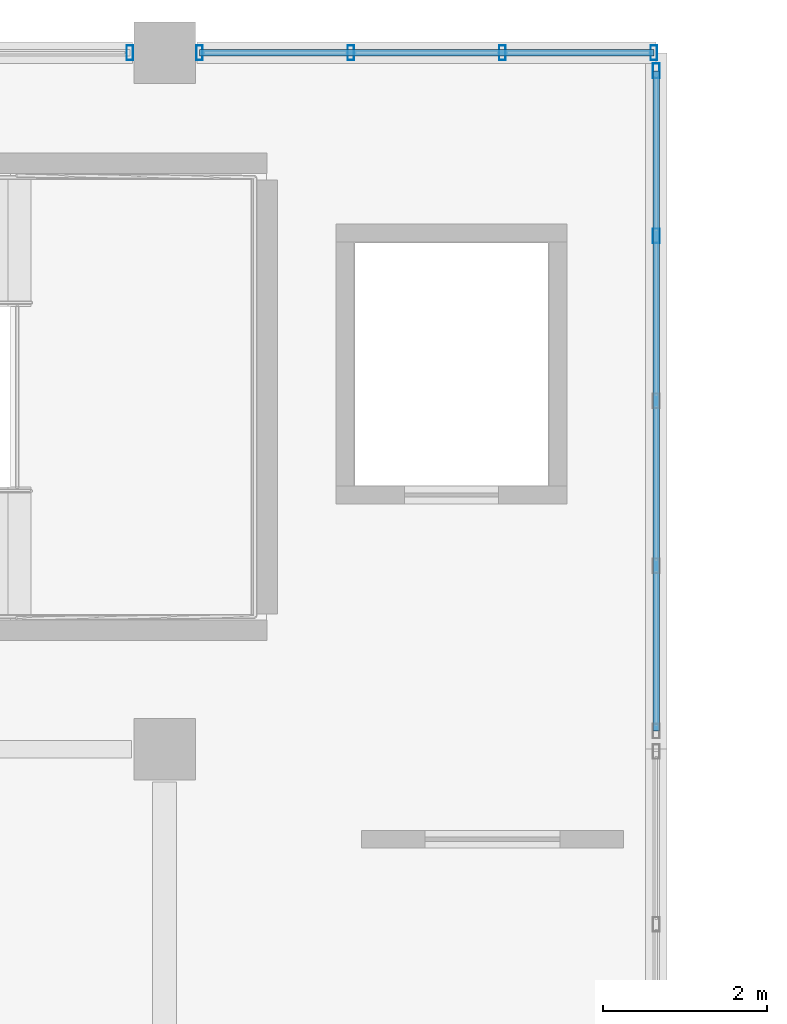
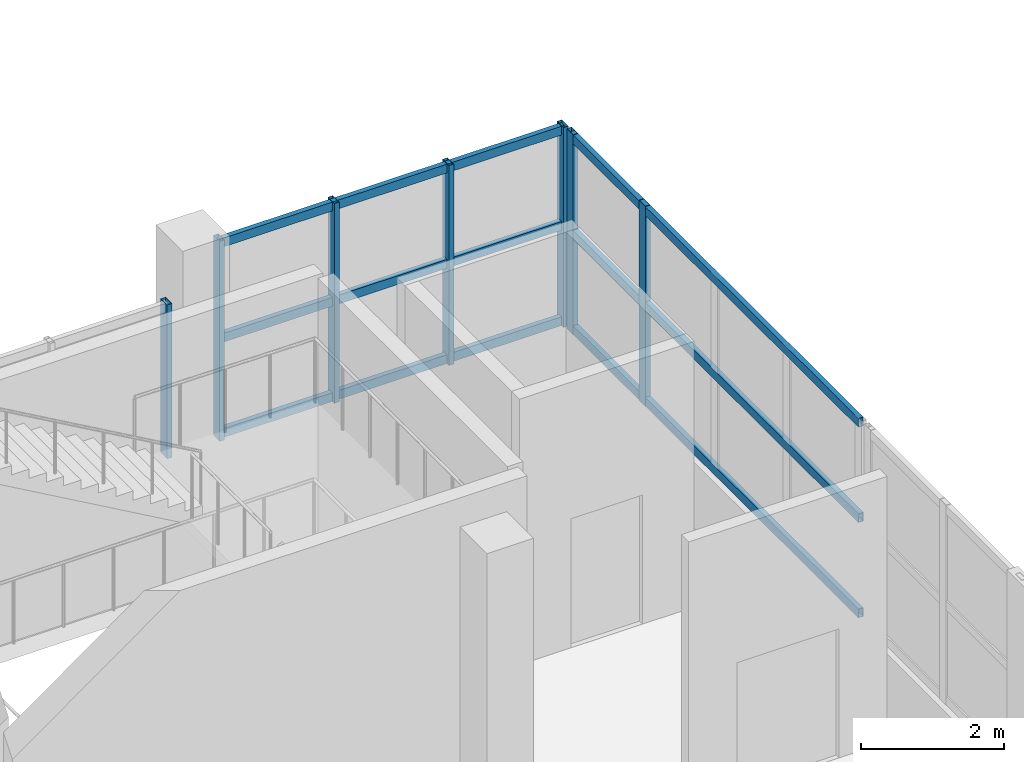
# One storey, part 82 of 117: 13 members, 3 elements without a shape of their own.
"""IFC4 building model written with IfcOpenShell, lengths in metres."""

from ifc_helpers import new_model, si_unit, direction, frame, origin, origin_2d, place, context, subcontext, project, spatial, hollow_rectangle, extrude, material, material_profile, profile_set, type_object, element, aggregate, save


model = new_model("IFC4")

# Units and contexts
model_context = context("Model", 3, precision=1e-05, world=origin(), true_north=direction((0.0, 1.0)))
body_context = subcontext(model_context, "Body", "Model", "MODEL_VIEW")
ifc_project = project(units=[si_unit("LENGTHUNIT", "METRE"), si_unit("AREAUNIT", "SQUARE_METRE"), si_unit("VOLUMEUNIT", "CUBIC_METRE"), si_unit("PLANEANGLEUNIT", "RADIAN"), si_unit("MASSUNIT", "GRAM", prefix="KILO")], contexts=[model_context])

# Site, building, storey
site_placement = place(None, origin())
site = spatial("IfcSite", under=ifc_project, at=site_placement, CompositionType="ELEMENT")
building_placement = place(site_placement, origin())
building = spatial("IfcBuilding", under=site, at=building_placement, Name="Solvento Point Concert Hall", CompositionType="ELEMENT")
storey_placement = place(building_placement, frame((0.0, 0.0, 5.39990234375)))
storey = spatial("IfcBuildingStorey", under=building, at=storey_placement, Name="L01", CompositionType="ELEMENT", Elevation=5.39990234375)

# Curtain wall, member
ifc_material_1 = material(Name="Anodized Bronze Aluminium", Category="aluminium")
curtain_wall_type = type_object("IfcCurtainWallType", Name="CurtainWall_CourtPilotis", PredefinedType="USERDEFINED", material=ifc_material_1)
curtain_wall_1_placement = place(storey_placement, origin())
curtain_wall_1 = element("IfcCurtainWall", 1, at=curtain_wall_1_placement, inside=storey, type_object=curtain_wall_type, Name="Unitised curtain wall CW-96 UCW-L01-130", ObjectType="UNITISED CURTAIN WALL", PredefinedType="USERDEFINED")
ifc_material_2 = material(Name="Anodized Bronze Aluminium", Category="aluminium")
ifc_material_profile_1 = material_profile(ifc_material_2, hollow_rectangle(XDim=0.080078125, YDim=0.179931640625, WallThickness=0.00390625, at=origin_2d()), Name="CW-MUL-80X180")
ifc_profile_set_1 = profile_set([ifc_material_profile_1], Name="Anodized Bronze Aluminium")
member_type_1 = type_object("IfcMemberType", Name="Mullion_80x180", PredefinedType="MULLION", material=ifc_profile_set_1)
member_1_placement = place(storey_placement, frame((65.574951171875, 136.0, 1.1201171875), z_axis=(0.0, 0.0, 1.0), x_axis=(1.0, 0.0, 0.0)))
member_1 = element("IfcMember", 2, at=member_1_placement, type_object=member_type_1, Name="Curtain wall mullion ML-01", PredefinedType="MULLION", context=body_context, shape_type="SweptSolid", body=[
    extrude(hollow_rectangle(XDim=0.080078125, YDim=0.179931640625, WallThickness=0.00390625, at=origin_2d()), origin(), (0.0, 0.0, 1.0), 2.6240234375),
])
aggregate(curtain_wall_1, [member_1])

# Curtain wall, members
curtain_wall_2_placement = place(storey_placement, origin())
curtain_wall_2 = element("IfcCurtainWall", 3, at=curtain_wall_2_placement, inside=storey, type_object=curtain_wall_type, Name="Unitised curtain wall CW-96 UCW-L01-131", ObjectType="UNITISED CURTAIN WALL", PredefinedType="USERDEFINED")
member_2_placement = place(storey_placement, frame((66.425048828125, 136.0, 1.1201171875), z_axis=(0.0, 0.0, 1.0), x_axis=(1.0, 0.0, 0.0)))
member_2 = element("IfcMember", 4, at=member_2_placement, type_object=member_type_1, Name="Curtain wall mullion ML-01", PredefinedType="MULLION", context=body_context, shape_type="SweptSolid", body=[
    extrude(hollow_rectangle(XDim=0.080078125, YDim=0.179931640625, WallThickness=0.00390625, at=origin_2d()), origin(), (0.0, 0.0, 1.0), 3.409912109375),
])
member_3_placement = place(storey_placement, frame((68.273193359375, 136.0, 1.1201171875), z_axis=(0.0, 0.0, 1.0), x_axis=(1.0, 0.0, 0.0)))
member_3 = element("IfcMember", 5, at=member_3_placement, type_object=member_type_1, Name="Curtain wall mullion ML-01", PredefinedType="MULLION", context=body_context, shape_type="SweptSolid", body=[
    extrude(hollow_rectangle(XDim=0.080078125, YDim=0.179931640625, WallThickness=0.00390625, at=origin_2d()), origin(), (0.0, 0.0, 1.0), 3.409912109375),
])
member_4_placement = place(storey_placement, frame((70.12158203125, 136.0, 1.1201171875), z_axis=(0.0, 0.0, 1.0), x_axis=(1.0, 0.0, 0.0)))
member_4 = element("IfcMember", 6, at=member_4_placement, type_object=member_type_1, Name="Curtain wall mullion ML-01", PredefinedType="MULLION", context=body_context, shape_type="SweptSolid", body=[
    extrude(hollow_rectangle(XDim=0.080078125, YDim=0.179931640625, WallThickness=0.00390625, at=origin_2d()), origin(), (0.0, 0.0, 1.0), 3.409912109375),
])
member_5_placement = place(storey_placement, frame((71.969970703125, 136.0, 1.1201171875), z_axis=(0.0, 0.0, 1.0), x_axis=(1.0, 0.0, 0.0)))
member_5 = element("IfcMember", 7, at=member_5_placement, type_object=member_type_1, Name="Curtain wall mullion ML-01", PredefinedType="MULLION", context=body_context, shape_type="SweptSolid", body=[
    extrude(hollow_rectangle(XDim=0.080078125, YDim=0.179931640625, WallThickness=0.00390625, at=origin_2d()), origin(), (0.0, 0.0, 1.0), 3.409912109375),
])

curtain_wall_3_placement = place(storey_placement, origin())
curtain_wall_3 = element("IfcCurtainWall", 8, at=curtain_wall_3_placement, inside=storey, type_object=curtain_wall_type, Name="Unitised curtain wall CW-96 UCW-L01-133", ObjectType="UNITISED CURTAIN WALL", PredefinedType="USERDEFINED")
member_6_placement = place(storey_placement, frame((72.0, 133.764892578125, 1.1201171875), z_axis=(0.0, 0.0, 1.0), x_axis=(1.0, 0.0, 0.0)))
member_6 = element("IfcMember", 9, at=member_6_placement, type_object=member_type_1, Name="Curtain wall mullion ML-01", PredefinedType="MULLION", context=body_context, shape_type="SweptSolid", body=[
    extrude(hollow_rectangle(XDim=0.080078125, YDim=0.179931640625, WallThickness=0.00390625, at=origin_2d()), origin(), (0.0, 0.0, 1.0), 3.409912109375),
])
member_7_placement = place(storey_placement, frame((72.0, 135.780029296875, 1.1201171875), z_axis=(0.0, 0.0, 1.0), x_axis=(1.0, 0.0, 0.0)))
member_7 = element("IfcMember", 10, at=member_7_placement, type_object=member_type_1, Name="Curtain wall mullion ML-01", PredefinedType="MULLION", context=body_context, shape_type="SweptSolid", body=[
    extrude(hollow_rectangle(XDim=0.080078125, YDim=0.179931640625, WallThickness=0.00390625, at=origin_2d()), origin(), (0.0, 0.0, 1.0), 3.409912109375),
])

# Member
ifc_material_3 = material(Name="Anodized Bronze Aluminium", Category="aluminium")
ifc_material_profile_2 = material_profile(ifc_material_3, hollow_rectangle(XDim=0.080078125, YDim=0.14990234375, WallThickness=0.00390625, at=origin_2d()), Name="CW-TRN-80X150")
ifc_profile_set_2 = profile_set([ifc_material_profile_2], Name="Anodized Bronze Aluminium")
member_type_2 = type_object("IfcMemberType", Name="Transom_80x150", PredefinedType="USERDEFINED", material=ifc_profile_set_2)
member_8_placement = place(storey_placement, frame((66.425048828125, 136.0, 1.2001953125), z_axis=(1.0, 0.0, 0.0), x_axis=(0.0, 1.0, 0.0)))
member_8 = element("IfcMember", 11, at=member_8_placement, type_object=member_type_2, Name="Curtain wall transom TR-01", ObjectType="TRANSOM", PredefinedType="USERDEFINED", context=body_context, shape_type="SweptSolid", body=[
    extrude(hollow_rectangle(XDim=0.080078125, YDim=0.14990234375, WallThickness=0.00390625, at=origin_2d()), origin(), (0.0, 0.0, 1.0), 5.544921875),
])

member_9_placement = place(storey_placement, frame((66.425048828125, 136.0, 2.8251953125), z_axis=(1.0, 0.0, 0.0), x_axis=(0.0, 1.0, 0.0)))
member_9 = element("IfcMember", 12, at=member_9_placement, type_object=member_type_2, Name="Curtain wall transom TR-01", ObjectType="TRANSOM", PredefinedType="USERDEFINED", context=body_context, shape_type="SweptSolid", body=[
    extrude(hollow_rectangle(XDim=0.080078125, YDim=0.14990234375, WallThickness=0.00390625, at=origin_2d()), origin(), (0.0, 0.0, 1.0), 5.544921875),
])

member_10_placement = place(storey_placement, frame((66.425048828125, 136.0, 4.4501953125), z_axis=(1.0, 0.0, 0.0), x_axis=(0.0, 1.0, 0.0)))
member_10 = element("IfcMember", 13, at=member_10_placement, type_object=member_type_2, Name="Curtain wall transom TR-01", ObjectType="TRANSOM", PredefinedType="USERDEFINED", context=body_context, shape_type="SweptSolid", body=[
    extrude(hollow_rectangle(XDim=0.080078125, YDim=0.14990234375, WallThickness=0.00390625, at=origin_2d()), origin(), (0.0, 0.0, 1.0), 5.544921875),
])

aggregate(curtain_wall_2, [member_2, member_3, member_4, member_5, member_8, member_9, member_10])

member_11_placement = place(storey_placement, frame((72.0, 127.719970703125, 1.2001953125), z_axis=(0.0, 1.0, 0.0), x_axis=(-1.0, 0.0, 0.0)))
member_11 = element("IfcMember", 14, at=member_11_placement, type_object=member_type_2, Name="Curtain wall transom TR-01", ObjectType="TRANSOM", PredefinedType="USERDEFINED", context=body_context, shape_type="SweptSolid", body=[
    extrude(hollow_rectangle(XDim=0.080078125, YDim=0.14990234375, WallThickness=0.00390625, at=origin_2d()), origin(), (0.0, 0.0, 1.0), 8.06005859375),
])

member_12_placement = place(storey_placement, frame((72.0, 127.719970703125, 2.8251953125), z_axis=(0.0, 1.0, 0.0), x_axis=(-1.0, 0.0, 0.0)))
member_12 = element("IfcMember", 15, at=member_12_placement, type_object=member_type_2, Name="Curtain wall transom TR-01", ObjectType="TRANSOM", PredefinedType="USERDEFINED", context=body_context, shape_type="SweptSolid", body=[
    extrude(hollow_rectangle(XDim=0.080078125, YDim=0.14990234375, WallThickness=0.00390625, at=origin_2d()), origin(), (0.0, 0.0, 1.0), 8.06005859375),
])

member_13_placement = place(storey_placement, frame((72.0, 127.719970703125, 4.4501953125), z_axis=(0.0, 1.0, 0.0), x_axis=(-1.0, 0.0, 0.0)))
member_13 = element("IfcMember", 16, at=member_13_placement, type_object=member_type_2, Name="Curtain wall transom TR-01", ObjectType="TRANSOM", PredefinedType="USERDEFINED", context=body_context, shape_type="SweptSolid", body=[
    extrude(hollow_rectangle(XDim=0.080078125, YDim=0.14990234375, WallThickness=0.00390625, at=origin_2d()), origin(), (0.0, 0.0, 1.0), 8.06005859375),
])

aggregate(curtain_wall_3, [member_6, member_7, member_11, member_12, member_13])

save(model, "model.ifc")
